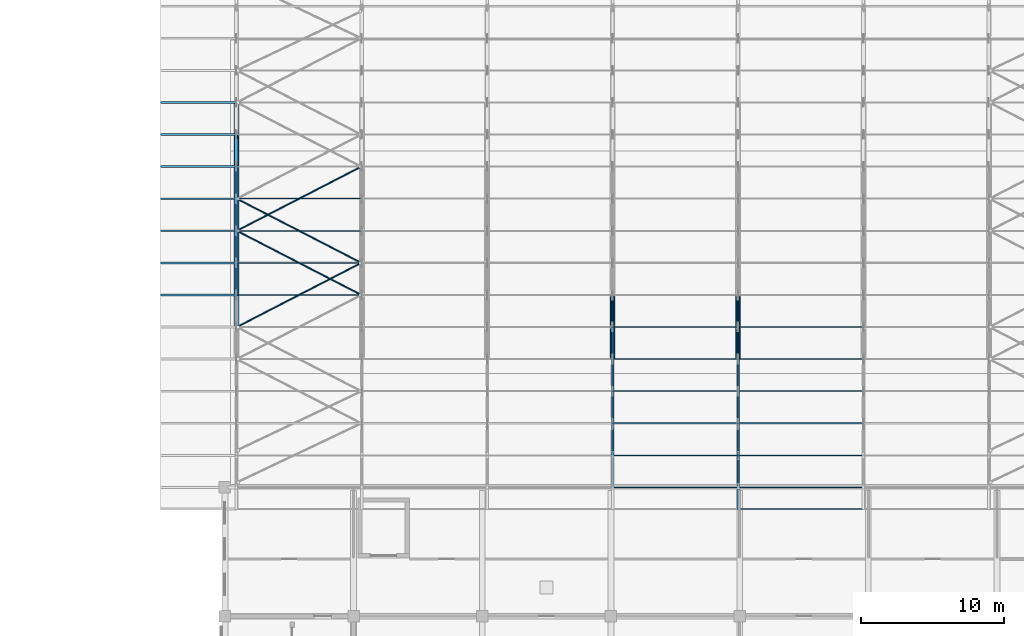
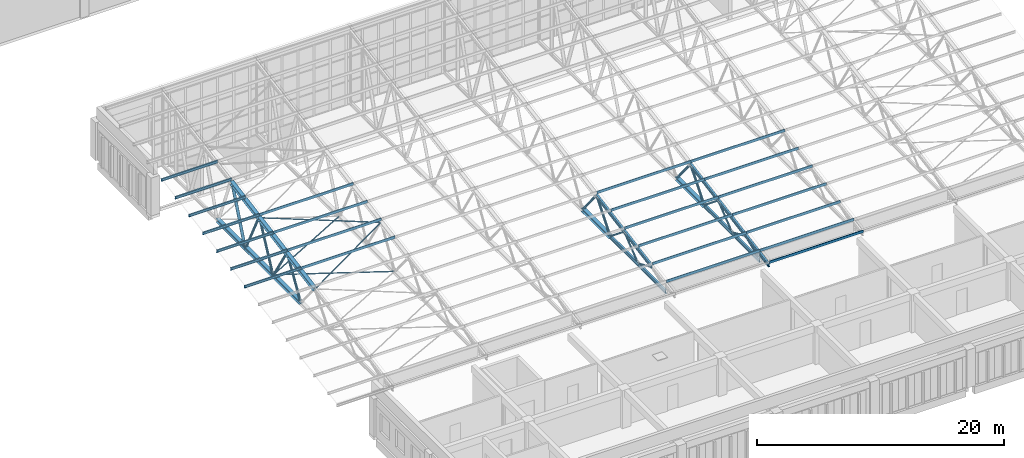
# One storey, part 49 of 185: 62 members.
"""IFC4 building model written with IfcOpenShell, lengths in metres."""

from ifc_helpers import new_model, si_unit, direction, frame, origin, origin_2d, place, context, subcontext, project, spatial, polyline, hollow_circle, i_section, outline, extrude, material, material_profile, profile_set, type_object, element, save


model = new_model("IFC4")

# Units and contexts
model_context = context("Model", 3, precision=1e-05, world=origin(), true_north=direction((0.0, 1.0)))
body_context = subcontext(model_context, "Body", "Model", "MODEL_VIEW")
ifc_project = project(units=[si_unit("LENGTHUNIT", "METRE"), si_unit("AREAUNIT", "SQUARE_METRE"), si_unit("VOLUMEUNIT", "CUBIC_METRE"), si_unit("PLANEANGLEUNIT", "RADIAN"), si_unit("MASSUNIT", "GRAM", prefix="KILO")], contexts=[model_context])

# Site, building, storey
site_placement = place(None, origin())
site = spatial("IfcSite", under=ifc_project, at=site_placement, CompositionType="ELEMENT")
building_placement = place(site_placement, origin())
building = spatial("IfcBuilding", under=site, at=building_placement, Name="Opaline Strait Convention Centre", CompositionType="ELEMENT")
storey_placement = place(building_placement, frame((0.0, 0.0, 6.0)))
storey = spatial("IfcBuildingStorey", under=building, at=storey_placement, Name="L01", CompositionType="ELEMENT", Elevation=6.0)

# Members
ifc_material = material(Name="Steel Q355B", Category="steel")
ifc_material_profile_1 = material_profile(ifc_material, i_section(OverallWidth=0.125, OverallDepth=0.25, WebThickness=0.006103515625, FlangeThickness=0.009033203125, FilletRadius=0.008056640625, at=origin_2d()), Name="HN 250x125x6x9")
ifc_profile_set_1 = profile_set([ifc_material_profile_1], Name="Steel Q355B")
member_type_1 = type_object("IfcMemberType", Name="Eaves purlin HN 250x125x6x9", PredefinedType="RAFTER", material=ifc_profile_set_1)
for number, where, z_axis, x_axis, name in (
    (1, (283.5, 40.46240234375, 7.88427734375), (1.0, 0.0, 0.0), (0.0, 1.0, 0.0), "BU2 purlin line 8 bay 1"),
    (2, (283.5, 42.706298828125, 8.280029296875), (1.0, 0.0, 0.0), (0.0, 1.0, 0.0), "BU2 purlin line 9 bay 1"),
    (3, (283.5, 44.949951171875, 8.675537109375), (1.0, 0.0, 0.0), (0.0, 1.0, 0.0), "BU2 purlin line 10 bay 1"),
    (4, (283.5, 47.19384765625, 9.0712890625), (1.0, 0.0, 0.0), (0.0, 1.0, 0.0), "BU2 purlin line 11 bay 1"),
    (5, (283.5, 49.4375, 9.467041015625), (1.0, 0.0, 0.0), (0.0, 1.0, 0.0), "BU2 purlin line 12 bay 1"),
    (6, (283.5, 51.68115234375, 9.862548828125), (1.0, 0.0, 0.0), (0.0, 1.0, 0.0), "BU2 purlin line 13 bay 1"),
    (7, (283.5, 53.925048828125, 10.25830078125), (1.0, 0.0, 0.0), (0.0, 1.0, 0.0), "BU2 purlin line 14 bay 1"),
):
    element("IfcMember", number, at=place(storey_placement, frame(where, z_axis=z_axis, x_axis=x_axis)), inside=storey, type_object=member_type_1, Name=name, PredefinedType="RAFTER", context=body_context, shape_type="SweptSolid", body=[
        extrude(i_section(OverallWidth=0.125, OverallDepth=0.25, WebThickness=0.006103515625, FlangeThickness=0.009033203125, FilletRadius=0.008056640625, at=origin_2d()), origin(), (0.0, 0.0, 1.0), 5.300048828125),
    ])
ifc_material_profile_2 = material_profile(ifc_material, hollow_circle(Radius=0.056884765625, WallThickness=0.006103515625, at=origin_2d()), Name="CHS 114x6")
ifc_profile_set_2 = profile_set([ifc_material_profile_2], Name="Steel Q355B")
member_type_2 = type_object("IfcMemberType", Name="Roof plan brace CHS 114x6", PredefinedType="BRACE", material=ifc_profile_set_2)
for number, where, z_axis, x_axis, name in (
    (8, (288.83203125, 38.21875, 7.17822265625), (0.886011642776, 0.456619189308, 0.080512637645), (-0.458106391397, 0.88889736987, 0.0), "BR1 top plane brace end bay 1 panel 3"),
    (9, (297.53955078125, 42.706298828125, 7.969482421875), (-0.886011642776, 0.456619189308, 0.080512637645), (-0.458106391397, -0.88889736987, 0.0), "BR1 top plane brace end bay 1 panel 4"),
):
    element("IfcMember", number, at=place(storey_placement, frame(where, z_axis=z_axis, x_axis=x_axis)), inside=storey, type_object=member_type_2, Name=name, PredefinedType="BRACE", context=body_context, shape_type="SweptSolid", body=[
        extrude(hollow_circle(Radius=0.056884765625, WallThickness=0.006103515625, at=origin_2d()), origin(), (0.0, 0.0, 1.0), 9.827880859375),
    ])
for number, where, z_axis, x_axis, name in (
    (10, (297.53955078125, 40.46240234375, 4.5), (-0.88889736987, 0.458106391397, 0.0), (-0.458106391397, -0.88889736987, 0.0), "BR1 bottom plane brace end bay 1 panel 4"),
    (11, (288.83203125, 44.949951171875, 4.5), (0.88889736987, 0.458106391397, 0.0), (-0.458106391397, 0.88889736987, 0.0), "BR1 bottom plane brace end bay 1 panel 5"),
):
    element("IfcMember", number, at=place(storey_placement, frame(where, z_axis=z_axis, x_axis=x_axis)), inside=storey, type_object=member_type_2, Name=name, PredefinedType="BRACE", context=body_context, shape_type="SweptSolid", body=[
        extrude(hollow_circle(Radius=0.056884765625, WallThickness=0.006103515625, at=origin_2d()), origin(), (0.0, 0.0, 1.0), 9.7958984375),
    ])
ifc_material_profile_3 = material_profile(ifc_material, outline(polyline([(-0.03759765625, -0.125), (0.03759765625, -0.125), (0.03759765625, -0.10498046875), (0.034423828125, -0.10498046875), (0.034423828125, -0.1220703125), (-0.034423828125, -0.1220703125), (-0.034423828125, 0.1220703125), (0.034423828125, 0.1220703125), (0.034423828125, 0.10498046875), (0.03759765625, 0.10498046875), (0.03759765625, 0.125), (-0.03759765625, 0.125), (-0.03759765625, -0.125)])), Name="C 250x75x20x3")
ifc_profile_set_3 = profile_set([ifc_material_profile_3], Name="Steel Q355B")
member_type_3 = type_object("IfcMemberType", Name="Roof purlin C 250x75x20x3", PredefinedType="RAFTER", material=ifc_profile_set_3)
member_1_placement = place(storey_placement, frame((323.8857421875, 25.5, 5.24609375), z_axis=(1.0, 0.0, 0.0), x_axis=(0.0, 1.0, 0.0)))
element("IfcMember", 12, at=member_1_placement, inside=storey, type_object=member_type_3, Name="BU1 purlin line 1 bay 6", PredefinedType="RAFTER", context=body_context, shape_type="SweptSolid", body=[
    extrude(outline(polyline([(-0.03759765625, -0.125), (0.03759765625, -0.125), (0.03759765625, -0.10498046875), (0.034423828125, -0.10498046875), (0.034423828125, -0.1220703125), (-0.034423828125, -0.1220703125), (-0.034423828125, 0.1220703125), (0.034423828125, 0.1220703125), (0.034423828125, 0.10498046875), (0.03759765625, 0.10498046875), (0.03759765625, 0.125), (-0.03759765625, 0.125), (-0.03759765625, -0.125)])), origin(), (0.0, 0.0, 1.0), 8.771240234375),
])
member_2_placement = place(storey_placement, frame((315.1142578125, 27.0, 5.510498046875), z_axis=(1.0, 0.0, 0.0), x_axis=(0.0, 1.0, 0.0)))
element("IfcMember", 13, at=member_2_placement, inside=storey, type_object=member_type_3, Name="BU1 purlin line 2 bay 5", PredefinedType="RAFTER", context=body_context, shape_type="SweptSolid", body=[
    extrude(outline(polyline([(-0.03759765625, -0.125), (0.03759765625, -0.125), (0.03759765625, -0.10498046875), (0.034423828125, -0.10498046875), (0.034423828125, -0.1220703125), (-0.034423828125, -0.1220703125), (-0.034423828125, 0.1220703125), (0.034423828125, 0.1220703125), (0.034423828125, 0.10498046875), (0.03759765625, 0.10498046875), (0.03759765625, 0.125), (-0.03759765625, 0.125), (-0.03759765625, -0.125)])), origin(), (0.0, 0.0, 1.0), 8.771484375),
])
member_3_placement = place(storey_placement, frame((323.8857421875, 27.0, 5.510498046875), z_axis=(1.0, 0.0, 0.0), x_axis=(0.0, 1.0, 0.0)))
element("IfcMember", 14, at=member_3_placement, inside=storey, type_object=member_type_3, Name="BU1 purlin line 2 bay 6", PredefinedType="RAFTER", context=body_context, shape_type="SweptSolid", body=[
    extrude(outline(polyline([(-0.03759765625, -0.125), (0.03759765625, -0.125), (0.03759765625, -0.10498046875), (0.034423828125, -0.10498046875), (0.034423828125, -0.1220703125), (-0.034423828125, -0.1220703125), (-0.034423828125, 0.1220703125), (0.034423828125, 0.1220703125), (0.034423828125, 0.10498046875), (0.03759765625, 0.10498046875), (0.03759765625, 0.125), (-0.03759765625, 0.125), (-0.03759765625, -0.125)])), origin(), (0.0, 0.0, 1.0), 8.771240234375),
])
member_4_placement = place(storey_placement, frame((315.1142578125, 29.24365234375, 5.90625), z_axis=(1.0, 0.0, 0.0), x_axis=(0.0, 1.0, 0.0)))
element("IfcMember", 15, at=member_4_placement, inside=storey, type_object=member_type_3, Name="BU1 purlin line 3 bay 5", PredefinedType="RAFTER", context=body_context, shape_type="SweptSolid", body=[
    extrude(outline(polyline([(-0.03759765625, -0.125), (0.03759765625, -0.125), (0.03759765625, -0.10498046875), (0.034423828125, -0.10498046875), (0.034423828125, -0.1220703125), (-0.034423828125, -0.1220703125), (-0.034423828125, 0.1220703125), (0.034423828125, 0.1220703125), (0.034423828125, 0.10498046875), (0.03759765625, 0.10498046875), (0.03759765625, 0.125), (-0.03759765625, 0.125), (-0.03759765625, -0.125)])), origin(), (0.0, 0.0, 1.0), 8.771484375),
])
member_5_placement = place(storey_placement, frame((323.8857421875, 29.24365234375, 5.90625), z_axis=(1.0, 0.0, 0.0), x_axis=(0.0, 1.0, 0.0)))
element("IfcMember", 16, at=member_5_placement, inside=storey, type_object=member_type_3, Name="BU1 purlin line 3 bay 6", PredefinedType="RAFTER", context=body_context, shape_type="SweptSolid", body=[
    extrude(outline(polyline([(-0.03759765625, -0.125), (0.03759765625, -0.125), (0.03759765625, -0.10498046875), (0.034423828125, -0.10498046875), (0.034423828125, -0.1220703125), (-0.034423828125, -0.1220703125), (-0.034423828125, 0.1220703125), (0.034423828125, 0.1220703125), (0.034423828125, 0.10498046875), (0.03759765625, 0.10498046875), (0.03759765625, 0.125), (-0.03759765625, 0.125), (-0.03759765625, -0.125)])), origin(), (0.0, 0.0, 1.0), 8.771240234375),
])
member_6_placement = place(storey_placement, frame((315.1142578125, 31.487548828125, 6.3017578125), z_axis=(1.0, 0.0, 0.0), x_axis=(0.0, 1.0, 0.0)))
element("IfcMember", 17, at=member_6_placement, inside=storey, type_object=member_type_3, Name="BU1 purlin line 4 bay 5", PredefinedType="RAFTER", context=body_context, shape_type="SweptSolid", body=[
    extrude(outline(polyline([(-0.03759765625, -0.125), (0.03759765625, -0.125), (0.03759765625, -0.10498046875), (0.034423828125, -0.10498046875), (0.034423828125, -0.1220703125), (-0.034423828125, -0.1220703125), (-0.034423828125, 0.1220703125), (0.034423828125, 0.1220703125), (0.034423828125, 0.10498046875), (0.03759765625, 0.10498046875), (0.03759765625, 0.125), (-0.03759765625, 0.125), (-0.03759765625, -0.125)])), origin(), (0.0, 0.0, 1.0), 8.771484375),
])
member_7_placement = place(storey_placement, frame((323.8857421875, 31.487548828125, 6.3017578125), z_axis=(1.0, 0.0, 0.0), x_axis=(0.0, 1.0, 0.0)))
element("IfcMember", 18, at=member_7_placement, inside=storey, type_object=member_type_3, Name="BU1 purlin line 4 bay 6", PredefinedType="RAFTER", context=body_context, shape_type="SweptSolid", body=[
    extrude(outline(polyline([(-0.03759765625, -0.125), (0.03759765625, -0.125), (0.03759765625, -0.10498046875), (0.034423828125, -0.10498046875), (0.034423828125, -0.1220703125), (-0.034423828125, -0.1220703125), (-0.034423828125, 0.1220703125), (0.034423828125, 0.1220703125), (0.034423828125, 0.10498046875), (0.03759765625, 0.10498046875), (0.03759765625, 0.125), (-0.03759765625, 0.125), (-0.03759765625, -0.125)])), origin(), (0.0, 0.0, 1.0), 8.771240234375),
])
member_8_placement = place(storey_placement, frame((315.1142578125, 33.731201171875, 6.697509765625), z_axis=(1.0, 0.0, 0.0), x_axis=(0.0, 1.0, 0.0)))
element("IfcMember", 19, at=member_8_placement, inside=storey, type_object=member_type_3, Name="BU1 purlin line 5 bay 5", PredefinedType="RAFTER", context=body_context, shape_type="SweptSolid", body=[
    extrude(outline(polyline([(-0.03759765625, -0.125), (0.03759765625, -0.125), (0.03759765625, -0.10498046875), (0.034423828125, -0.10498046875), (0.034423828125, -0.1220703125), (-0.034423828125, -0.1220703125), (-0.034423828125, 0.1220703125), (0.034423828125, 0.1220703125), (0.034423828125, 0.10498046875), (0.03759765625, 0.10498046875), (0.03759765625, 0.125), (-0.03759765625, 0.125), (-0.03759765625, -0.125)])), origin(), (0.0, 0.0, 1.0), 8.771484375),
])
member_9_placement = place(storey_placement, frame((323.8857421875, 33.731201171875, 6.697509765625), z_axis=(1.0, 0.0, 0.0), x_axis=(0.0, 1.0, 0.0)))
element("IfcMember", 20, at=member_9_placement, inside=storey, type_object=member_type_3, Name="BU1 purlin line 5 bay 6", PredefinedType="RAFTER", context=body_context, shape_type="SweptSolid", body=[
    extrude(outline(polyline([(-0.03759765625, -0.125), (0.03759765625, -0.125), (0.03759765625, -0.10498046875), (0.034423828125, -0.10498046875), (0.034423828125, -0.1220703125), (-0.034423828125, -0.1220703125), (-0.034423828125, 0.1220703125), (0.034423828125, 0.1220703125), (0.034423828125, 0.10498046875), (0.03759765625, 0.10498046875), (0.03759765625, 0.125), (-0.03759765625, 0.125), (-0.03759765625, -0.125)])), origin(), (0.0, 0.0, 1.0), 8.771240234375),
])
member_10_placement = place(storey_placement, frame((315.1142578125, 35.97509765625, 7.093017578125), z_axis=(1.0, 0.0, 0.0), x_axis=(0.0, 1.0, 0.0)))
element("IfcMember", 21, at=member_10_placement, inside=storey, type_object=member_type_3, Name="BU1 purlin line 6 bay 5", PredefinedType="RAFTER", context=body_context, shape_type="SweptSolid", body=[
    extrude(outline(polyline([(-0.03759765625, -0.125), (0.03759765625, -0.125), (0.03759765625, -0.10498046875), (0.034423828125, -0.10498046875), (0.034423828125, -0.1220703125), (-0.034423828125, -0.1220703125), (-0.034423828125, 0.1220703125), (0.034423828125, 0.1220703125), (0.034423828125, 0.10498046875), (0.03759765625, 0.10498046875), (0.03759765625, 0.125), (-0.03759765625, 0.125), (-0.03759765625, -0.125)])), origin(), (0.0, 0.0, 1.0), 8.771484375),
])
member_11_placement = place(storey_placement, frame((323.8857421875, 35.97509765625, 7.093017578125), z_axis=(1.0, 0.0, 0.0), x_axis=(0.0, 1.0, 0.0)))
element("IfcMember", 22, at=member_11_placement, inside=storey, type_object=member_type_3, Name="BU1 purlin line 6 bay 6", PredefinedType="RAFTER", context=body_context, shape_type="SweptSolid", body=[
    extrude(outline(polyline([(-0.03759765625, -0.125), (0.03759765625, -0.125), (0.03759765625, -0.10498046875), (0.034423828125, -0.10498046875), (0.034423828125, -0.1220703125), (-0.034423828125, -0.1220703125), (-0.034423828125, 0.1220703125), (0.034423828125, 0.1220703125), (0.034423828125, 0.10498046875), (0.03759765625, 0.10498046875), (0.03759765625, 0.125), (-0.03759765625, 0.125), (-0.03759765625, -0.125)])), origin(), (0.0, 0.0, 1.0), 8.771240234375),
])
member_12_placement = place(storey_placement, frame((315.1142578125, 38.21875, 7.48876953125), z_axis=(1.0, 0.0, 0.0), x_axis=(0.0, 1.0, 0.0)))
element("IfcMember", 23, at=member_12_placement, inside=storey, type_object=member_type_3, Name="BU1 purlin line 7 bay 5", PredefinedType="RAFTER", context=body_context, shape_type="SweptSolid", body=[
    extrude(outline(polyline([(-0.03759765625, -0.125), (0.03759765625, -0.125), (0.03759765625, -0.10498046875), (0.034423828125, -0.10498046875), (0.034423828125, -0.1220703125), (-0.034423828125, -0.1220703125), (-0.034423828125, 0.1220703125), (0.034423828125, 0.1220703125), (0.034423828125, 0.10498046875), (0.03759765625, 0.10498046875), (0.03759765625, 0.125), (-0.03759765625, 0.125), (-0.03759765625, -0.125)])), origin(), (0.0, 0.0, 1.0), 8.771484375),
])
for number, where, z_axis, x_axis, name in (
    (24, (323.8857421875, 38.21875, 7.48876953125), (1.0, 0.0, 0.0), (0.0, 1.0, 0.0), "BU1 purlin line 7 bay 6"),
    (25, (288.800048828125, 40.46240234375, 7.88427734375), (1.0, 0.0, 0.0), (0.0, 1.0, 0.0), "BU1 purlin line 8 bay 2"),
    (26, (288.800048828125, 42.706298828125, 8.280029296875), (1.0, 0.0, 0.0), (0.0, 1.0, 0.0), "BU1 purlin line 9 bay 2"),
    (27, (288.800048828125, 44.949951171875, 8.675537109375), (1.0, 0.0, 0.0), (0.0, 1.0, 0.0), "BU1 purlin line 10 bay 2"),
    (28, (288.800048828125, 47.19384765625, 9.0712890625), (1.0, 0.0, 0.0), (0.0, 1.0, 0.0), "BU1 purlin line 11 bay 2"),
):
    element("IfcMember", number, at=place(storey_placement, frame(where, z_axis=z_axis, x_axis=x_axis)), inside=storey, type_object=member_type_3, Name=name, PredefinedType="RAFTER", context=body_context, shape_type="SweptSolid", body=[
        extrude(outline(polyline([(-0.03759765625, -0.125), (0.03759765625, -0.125), (0.03759765625, -0.10498046875), (0.034423828125, -0.10498046875), (0.034423828125, -0.1220703125), (-0.034423828125, -0.1220703125), (-0.034423828125, 0.1220703125), (0.034423828125, 0.1220703125), (0.034423828125, 0.10498046875), (0.03759765625, 0.10498046875), (0.03759765625, 0.125), (-0.03759765625, 0.125), (-0.03759765625, -0.125)])), origin(), (0.0, 0.0, 1.0), 8.771240234375),
    ])
ifc_material_profile_4 = material_profile(ifc_material, i_section(OverallWidth=0.175048828125, OverallDepth=0.35009765625, WebThickness=0.007080078125, FlangeThickness=0.010986328125, FilletRadius=0.012939453125, at=origin_2d()), Name="HN 350x175x7x11")
ifc_profile_set_4 = profile_set([ifc_material_profile_4], Name="Steel Q355B")
member_type_4 = type_object("IfcMemberType", Name="Truss bottom chord HN 350x175x7x11", PredefinedType="CHORD", material=ifc_profile_set_4)
for number, where, z_axis, x_axis, name in (
    (29, (315.1142578125, 27.0, 4.5), (0.0, 1.0, 0.0), (-1.0, 0.0, 0.0), "BT2 bottom chord line 4 panel 1"),
    (30, (315.1142578125, 31.487548828125, 4.5), (0.0, 1.0, 0.0), (-1.0, 0.0, 0.0), "BT2 bottom chord line 4 panel 2"),
    (31, (323.8857421875, 27.0, 4.5), (0.0, 1.0, 0.0), (-1.0, 0.0, 0.0), "BT2 bottom chord line 5 panel 1"),
    (32, (323.8857421875, 31.487548828125, 4.5), (0.0, 1.0, 0.0), (-1.0, 0.0, 0.0), "BT2 bottom chord line 5 panel 2"),
):
    element("IfcMember", number, at=place(storey_placement, frame(where, z_axis=z_axis, x_axis=x_axis)), inside=storey, type_object=member_type_4, Name=name, PredefinedType="CHORD", context=body_context, shape_type="SweptSolid", body=[
        extrude(i_section(OverallWidth=0.175048828125, OverallDepth=0.35009765625, WebThickness=0.007080078125, FlangeThickness=0.010986328125, FilletRadius=0.012939453125, at=origin_2d()), origin(), (0.0, 0.0, 1.0), 4.487548828125),
    ])
ifc_material_profile_5 = material_profile(ifc_material, i_section(OverallWidth=0.35009765625, OverallDepth=0.35009765625, WebThickness=0.011962890625, FlangeThickness=0.01904296875, FilletRadius=0.012939453125, at=origin_2d()), Name="HW 350x350x12x19")
ifc_profile_set_5 = profile_set([ifc_material_profile_5], Name="Steel Q355B")
member_type_5 = type_object("IfcMemberType", Name="Truss bottom chord HW 350x350x12x19", PredefinedType="CHORD", material=ifc_profile_set_5)
for number, where, z_axis, x_axis, name in (
    (33, (288.800048828125, 40.46240234375, 4.5), (0.0, 1.0, 0.0), (-1.0, 0.0, 0.0), "BT4 bottom chord line 1 panel 4"),
    (34, (288.800048828125, 44.949951171875, 4.5), (0.0, 1.0, 0.0), (-1.0, 0.0, 0.0), "BT4 bottom chord line 1 panel 5"),
    (35, (288.800048828125, 49.4375, 4.5), (0.0, 1.0, 0.0), (-1.0, 0.0, 0.0), "BT4 bottom chord line 1 panel 6"),
):
    element("IfcMember", number, at=place(storey_placement, frame(where, z_axis=z_axis, x_axis=x_axis)), inside=storey, type_object=member_type_5, Name=name, PredefinedType="CHORD", context=body_context, shape_type="SweptSolid", body=[
        extrude(i_section(OverallWidth=0.35009765625, OverallDepth=0.35009765625, WebThickness=0.011962890625, FlangeThickness=0.01904296875, FilletRadius=0.012939453125, at=origin_2d()), origin(), (0.0, 0.0, 1.0), 4.487548828125),
    ])
for number, where, z_axis, x_axis, name in (
    (36, (315.1142578125, 35.97509765625, 4.5), (0.0, 1.0, 0.0), (-1.0, 0.0, 0.0), "BT4 bottom chord line 4 panel 3"),
    (37, (323.8857421875, 35.97509765625, 4.5), (0.0, 1.0, 0.0), (-1.0, 0.0, 0.0), "BT4 bottom chord line 5 panel 3"),
):
    element("IfcMember", number, at=place(storey_placement, frame(where, z_axis=z_axis, x_axis=x_axis)), inside=storey, type_object=member_type_5, Name=name, PredefinedType="CHORD", context=body_context, shape_type="SweptSolid", body=[
        extrude(i_section(OverallWidth=0.35009765625, OverallDepth=0.35009765625, WebThickness=0.011962890625, FlangeThickness=0.01904296875, FilletRadius=0.012939453125, at=origin_2d()), origin(), (0.0, 0.0, 1.0), 4.4873046875),
    ])
ifc_material_profile_6 = material_profile(ifc_material, i_section(OverallWidth=0.175048828125, OverallDepth=0.35009765625, WebThickness=0.007080078125, FlangeThickness=0.010986328125, FilletRadius=0.012939453125, at=origin_2d()), Name="HN 350x175x7x11")
ifc_profile_set_6 = profile_set([ifc_material_profile_6], Name="Steel Q355B")
member_type_6 = type_object("IfcMemberType", Name="Truss top chord HN 350x175x7x11", PredefinedType="CHORD", material=ifc_profile_set_6)
for number, where, z_axis, x_axis, name in (
    (38, (315.1142578125, 29.24365234375, 5.595703125), (0.0, 0.984808359847, 0.173644736101), (-1.0, 0.0, 0.0), "BT1 top chord line 4 panel 3"),
    (39, (315.1142578125, 33.731201171875, 6.386962890625), (0.0, 0.984808359847, 0.173644736101), (-1.0, 0.0, 0.0), "BT1 top chord line 4 panel 4"),
):
    element("IfcMember", number, at=place(storey_placement, frame(where, z_axis=z_axis, x_axis=x_axis)), inside=storey, type_object=member_type_6, Name=name, PredefinedType="CHORD", context=body_context, shape_type="SweptSolid", body=[
        extrude(i_section(OverallWidth=0.175048828125, OverallDepth=0.35009765625, WebThickness=0.007080078125, FlangeThickness=0.010986328125, FilletRadius=0.012939453125, at=origin_2d()), origin(), (0.0, 0.0, 1.0), 4.556884765625),
    ])
member_13_placement = place(storey_placement, frame((323.8857421875, 25.5, 4.935546875), z_axis=(0.0, 0.984817426759, 0.173593306182), x_axis=(-1.0, 0.0, 0.0)))
element("IfcMember", 40, at=member_13_placement, inside=storey, type_object=member_type_6, Name="BT1 top chord line 5 panel 1", PredefinedType="CHORD", context=body_context, shape_type="SweptSolid", body=[
    extrude(i_section(OverallWidth=0.175048828125, OverallDepth=0.35009765625, WebThickness=0.007080078125, FlangeThickness=0.010986328125, FilletRadius=0.012939453125, at=origin_2d()), origin(), (0.0, 0.0, 1.0), 1.523193359375),
])
member_14_placement = place(storey_placement, frame((323.8857421875, 27.0, 5.199951171875), z_axis=(0.0, 0.984797579866, 0.173705862564), x_axis=(-1.0, 0.0, 0.0)))
element("IfcMember", 41, at=member_14_placement, inside=storey, type_object=member_type_6, Name="BT1 top chord line 5 panel 2", PredefinedType="CHORD", context=body_context, shape_type="SweptSolid", body=[
    extrude(i_section(OverallWidth=0.175048828125, OverallDepth=0.35009765625, WebThickness=0.007080078125, FlangeThickness=0.010986328125, FilletRadius=0.012939453125, at=origin_2d()), origin(), (0.0, 0.0, 1.0), 2.2783203125),
])
for number, where, z_axis, x_axis, name in (
    (42, (323.8857421875, 29.24365234375, 5.595703125), (0.0, 0.984808359847, 0.173644736101), (-1.0, 0.0, 0.0), "BT1 top chord line 5 panel 3"),
    (43, (323.8857421875, 33.731201171875, 6.386962890625), (0.0, 0.984808359847, 0.173644736101), (-1.0, 0.0, 0.0), "BT1 top chord line 5 panel 4"),
):
    element("IfcMember", number, at=place(storey_placement, frame(where, z_axis=z_axis, x_axis=x_axis)), inside=storey, type_object=member_type_6, Name=name, PredefinedType="CHORD", context=body_context, shape_type="SweptSolid", body=[
        extrude(i_section(OverallWidth=0.175048828125, OverallDepth=0.35009765625, WebThickness=0.007080078125, FlangeThickness=0.010986328125, FilletRadius=0.012939453125, at=origin_2d()), origin(), (0.0, 0.0, 1.0), 4.556884765625),
    ])
ifc_material_profile_7 = material_profile(ifc_material, i_section(OverallWidth=0.35009765625, OverallDepth=0.35009765625, WebThickness=0.011962890625, FlangeThickness=0.01904296875, FilletRadius=0.012939453125, at=origin_2d()), Name="HW 350x350x12x19")
ifc_profile_set_7 = profile_set([ifc_material_profile_7], Name="Steel Q355B")
member_type_7 = type_object("IfcMemberType", Name="Truss top chord HW 350x350x12x19", PredefinedType="CHORD", material=ifc_profile_set_7)
for number, where, z_axis, x_axis, name in (
    (44, (288.800048828125, 38.21875, 7.17822265625), (0.0, 0.984808359847, 0.173644736101), (-1.0, 0.0, 0.0), "BT3 top chord line 1 panel 5"),
    (45, (288.800048828125, 42.706298828125, 7.969482421875), (0.0, 0.984808359847, 0.173644736101), (-1.0, 0.0, 0.0), "BT3 top chord line 1 panel 6"),
):
    element("IfcMember", number, at=place(storey_placement, frame(where, z_axis=z_axis, x_axis=x_axis)), inside=storey, type_object=member_type_7, Name=name, PredefinedType="CHORD", context=body_context, shape_type="SweptSolid", body=[
        extrude(i_section(OverallWidth=0.35009765625, OverallDepth=0.35009765625, WebThickness=0.011962890625, FlangeThickness=0.01904296875, FilletRadius=0.012939453125, at=origin_2d()), origin(), (0.0, 0.0, 1.0), 4.556884765625),
    ])
member_15_placement = place(storey_placement, frame((288.800048828125, 47.19384765625, 8.7607421875), z_axis=(0.0, 0.984806744223, 0.173653898696), x_axis=(-1.0, 0.0, 0.0)))
element("IfcMember", 46, at=member_15_placement, inside=storey, type_object=member_type_7, Name="BT3 top chord line 1 panel 7", PredefinedType="CHORD", context=body_context, shape_type="SweptSolid", body=[
    extrude(i_section(OverallWidth=0.35009765625, OverallDepth=0.35009765625, WebThickness=0.011962890625, FlangeThickness=0.01904296875, FilletRadius=0.012939453125, at=origin_2d()), origin(), (0.0, 0.0, 1.0), 4.556640625),
])
ifc_material_profile_8 = material_profile(ifc_material, hollow_circle(Radius=0.083984375, WallThickness=0.008056640625, at=origin_2d()), Name="CHS 168x8")
ifc_profile_set_8 = profile_set([ifc_material_profile_8], Name="Steel Q355B")
member_type_8 = type_object("IfcMemberType", Name="Truss web CHS 168x8", PredefinedType="BRACE", material=ifc_profile_set_8)
member_16_placement = place(storey_placement, frame((315.1142578125, 31.239501953125, 4.683837890625), z_axis=(0.0, -0.915689956093, 0.401885436799), x_axis=(1.0, 0.0, 0.0)))
element("IfcMember", 47, at=member_16_placement, inside=storey, type_object=member_type_8, Name="BW2 web line 4 member 2", PredefinedType="BRACE", context=body_context, shape_type="SweptSolid", body=[
    extrude(hollow_circle(Radius=0.083984375, WallThickness=0.008056640625, at=origin_2d()), origin(), (0.0, 0.0, 1.0), 1.90869140625),
])
member_17_placement = place(storey_placement, frame((315.1142578125, 31.6533203125, 4.678955078125), z_axis=(0.0, 0.787377696888, 0.616470893427), x_axis=(-1.0, 0.0, 0.0)))
element("IfcMember", 48, at=member_17_placement, inside=storey, type_object=member_type_8, Name="BW2 web line 4 member 3", PredefinedType="BRACE", context=body_context, shape_type="SweptSolid", body=[
    extrude(hollow_circle(Radius=0.083984375, WallThickness=0.008056640625, at=origin_2d()), origin(), (0.0, 0.0, 1.0), 2.428466796875),
])
member_18_placement = place(storey_placement, frame((315.1142578125, 35.81201171875, 4.678955078125), z_axis=(0.0, -0.776751826375, 0.629806795949), x_axis=(1.0, 0.0, 0.0)))
element("IfcMember", 49, at=member_18_placement, inside=storey, type_object=member_type_8, Name="BW2 web line 4 member 4", PredefinedType="BRACE", context=body_context, shape_type="SweptSolid", body=[
    extrude(hollow_circle(Radius=0.083984375, WallThickness=0.008056640625, at=origin_2d()), origin(), (0.0, 0.0, 1.0), 2.468994140625),
])
member_19_placement = place(storey_placement, frame((323.8857421875, 27.26611328125, 4.683349609375), z_axis=(0.0, 0.929133288935, 0.369744954519), x_axis=(-1.0, 0.0, 0.0)))
element("IfcMember", 50, at=member_19_placement, inside=storey, type_object=member_type_8, Name="BW2 web line 5 member 1", PredefinedType="BRACE", context=body_context, shape_type="SweptSolid", body=[
    extrude(hollow_circle(Radius=0.083984375, WallThickness=0.008056640625, at=origin_2d()), origin(), (0.0, 0.0, 1.0), 1.84228515625),
])
member_20_placement = place(storey_placement, frame((323.8857421875, 31.239501953125, 4.683837890625), z_axis=(0.0, -0.915689956093, 0.401885436799), x_axis=(1.0, 0.0, 0.0)))
element("IfcMember", 51, at=member_20_placement, inside=storey, type_object=member_type_8, Name="BW2 web line 5 member 2", PredefinedType="BRACE", context=body_context, shape_type="SweptSolid", body=[
    extrude(hollow_circle(Radius=0.083984375, WallThickness=0.008056640625, at=origin_2d()), origin(), (0.0, 0.0, 1.0), 1.90869140625),
])
member_21_placement = place(storey_placement, frame((323.8857421875, 31.6533203125, 4.678955078125), z_axis=(0.0, 0.787377696888, 0.616470893427), x_axis=(-1.0, 0.0, 0.0)))
element("IfcMember", 52, at=member_21_placement, inside=storey, type_object=member_type_8, Name="BW2 web line 5 member 3", PredefinedType="BRACE", context=body_context, shape_type="SweptSolid", body=[
    extrude(hollow_circle(Radius=0.083984375, WallThickness=0.008056640625, at=origin_2d()), origin(), (0.0, 0.0, 1.0), 2.428466796875),
])
member_22_placement = place(storey_placement, frame((323.8857421875, 35.81201171875, 4.678955078125), z_axis=(0.0, -0.776751826375, 0.629806795949), x_axis=(1.0, 0.0, 0.0)))
element("IfcMember", 53, at=member_22_placement, inside=storey, type_object=member_type_8, Name="BW2 web line 5 member 4", PredefinedType="BRACE", context=body_context, shape_type="SweptSolid", body=[
    extrude(hollow_circle(Radius=0.083984375, WallThickness=0.008056640625, at=origin_2d()), origin(), (0.0, 0.0, 1.0), 2.468994140625),
])
ifc_material_profile_9 = material_profile(ifc_material, hollow_circle(Radius=0.109619140625, WallThickness=0.010009765625, at=origin_2d()), Name="CHS 219x10")
ifc_profile_set_9 = profile_set([ifc_material_profile_9], Name="Steel Q355B")
member_type_9 = type_object("IfcMemberType", Name="Truss web CHS 219x10", PredefinedType="BRACE", material=ifc_profile_set_9)
member_23_placement = place(storey_placement, frame((288.800048828125, 40.62158203125, 4.678955078125), z_axis=(0.0, 0.530004980423, 0.847994528713), x_axis=(-1.0, 0.0, 0.0)))
element("IfcMember", 54, at=member_23_placement, inside=storey, type_object=member_type_9, Name="BW3 web line 1 member 7", PredefinedType="BRACE", context=body_context, shape_type="SweptSolid", body=[
    extrude(hollow_circle(Radius=0.109619140625, WallThickness=0.010009765625, at=origin_2d()), origin(), (0.0, 0.0, 1.0), 3.633056640625),
])
member_24_placement = place(storey_placement, frame((288.800048828125, 44.79150390625, 4.678955078125), z_axis=(0.0, -0.523401596889, 0.852086127322), x_axis=(1.0, 0.0, 0.0)))
element("IfcMember", 55, at=member_24_placement, inside=storey, type_object=member_type_9, Name="BW3 web line 1 member 8", PredefinedType="BRACE", context=body_context, shape_type="SweptSolid", body=[
    extrude(hollow_circle(Radius=0.109619140625, WallThickness=0.010009765625, at=origin_2d()), origin(), (0.0, 0.0, 1.0), 3.68115234375),
])
member_25_placement = place(storey_placement, frame((288.800048828125, 45.102294921875, 4.678955078125), z_axis=(0.0, 0.447641909675, 0.89421290569), x_axis=(-1.0, 0.0, 0.0)))
element("IfcMember", 56, at=member_25_placement, inside=storey, type_object=member_type_9, Name="BW3 web line 1 member 9", PredefinedType="BRACE", context=body_context, shape_type="SweptSolid", body=[
    extrude(hollow_circle(Radius=0.109619140625, WallThickness=0.010009765625, at=origin_2d()), origin(), (0.0, 0.0, 1.0), 4.33154296875),
])
member_26_placement = place(storey_placement, frame((288.800048828125, 49.285400390625, 4.678955078125), z_axis=(0.0, -0.44283785295, 0.896601715364), x_axis=(1.0, 0.0, 0.0)))
element("IfcMember", 57, at=member_26_placement, inside=storey, type_object=member_type_9, Name="BW3 web line 1 member 10", PredefinedType="BRACE", context=body_context, shape_type="SweptSolid", body=[
    extrude(hollow_circle(Radius=0.109619140625, WallThickness=0.010009765625, at=origin_2d()), origin(), (0.0, 0.0, 1.0), 4.379638671875),
])
member_27_placement = place(storey_placement, frame((315.1142578125, 36.147216796875, 4.678955078125), z_axis=(0.0, 0.638891118457, 0.769297171941), x_axis=(-1.0, 0.0, 0.0)))
element("IfcMember", 58, at=member_27_placement, inside=storey, type_object=member_type_9, Name="BW3 web line 4 member 5", PredefinedType="BRACE", context=body_context, shape_type="SweptSolid", body=[
    extrude(hollow_circle(Radius=0.109619140625, WallThickness=0.010009765625, at=origin_2d()), origin(), (0.0, 0.0, 1.0), 2.972900390625),
])
member_28_placement = place(storey_placement, frame((315.1142578125, 40.291748046875, 4.678955078125), z_axis=(0.0, -0.629570044101, 0.77694372999), x_axis=(1.0, 0.0, 0.0)))
element("IfcMember", 59, at=member_28_placement, inside=storey, type_object=member_type_9, Name="BW3 web line 4 member 6", PredefinedType="BRACE", context=body_context, shape_type="SweptSolid", body=[
    extrude(hollow_circle(Radius=0.109619140625, WallThickness=0.010009765625, at=origin_2d()), origin(), (0.0, 0.0, 1.0), 3.021728515625),
])
member_29_placement = place(storey_placement, frame((323.8857421875, 36.147216796875, 4.678955078125), z_axis=(0.0, 0.638891118457, 0.769297171941), x_axis=(-1.0, 0.0, 0.0)))
element("IfcMember", 60, at=member_29_placement, inside=storey, type_object=member_type_9, Name="BW3 web line 5 member 5", PredefinedType="BRACE", context=body_context, shape_type="SweptSolid", body=[
    extrude(hollow_circle(Radius=0.109619140625, WallThickness=0.010009765625, at=origin_2d()), origin(), (0.0, 0.0, 1.0), 2.972900390625),
])
member_30_placement = place(storey_placement, frame((323.8857421875, 40.291748046875, 4.678955078125), z_axis=(0.0, -0.629570044101, 0.77694372999), x_axis=(1.0, 0.0, 0.0)))
element("IfcMember", 61, at=member_30_placement, inside=storey, type_object=member_type_9, Name="BW3 web line 5 member 6", PredefinedType="BRACE", context=body_context, shape_type="SweptSolid", body=[
    extrude(hollow_circle(Radius=0.109619140625, WallThickness=0.010009765625, at=origin_2d()), origin(), (0.0, 0.0, 1.0), 3.021728515625),
])
ifc_material_profile_10 = material_profile(ifc_material, hollow_circle(Radius=0.136474609375, WallThickness=0.011962890625, at=origin_2d()), Name="CHS 273x12")
ifc_profile_set_10 = profile_set([ifc_material_profile_10], Name="Steel Q355B")
member_type_10 = type_object("IfcMemberType", Name="Truss web CHS 273x12", PredefinedType="BRACE", material=ifc_profile_set_10)
member_31_placement = place(storey_placement, frame((288.800048828125, 49.61474609375, 4.678955078125), z_axis=(0.0, 0.375689331062, 0.926745664423), x_axis=(-1.0, 0.0, 0.0)))
element("IfcMember", 62, at=member_31_placement, inside=storey, type_object=member_type_10, Name="BW4 web line 1 member 11", PredefinedType="BRACE", context=body_context, shape_type="SweptSolid", body=[
    extrude(hollow_circle(Radius=0.136474609375, WallThickness=0.011962890625, at=origin_2d()), origin(), (0.0, 0.0, 1.0), 5.028564453125),
])

save(model, "model.ifc")
